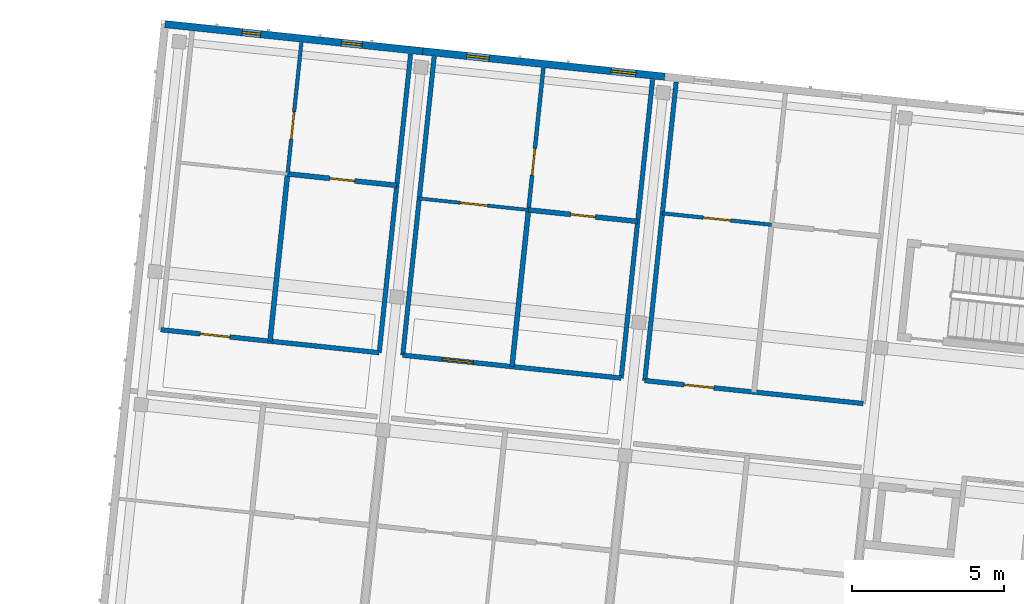
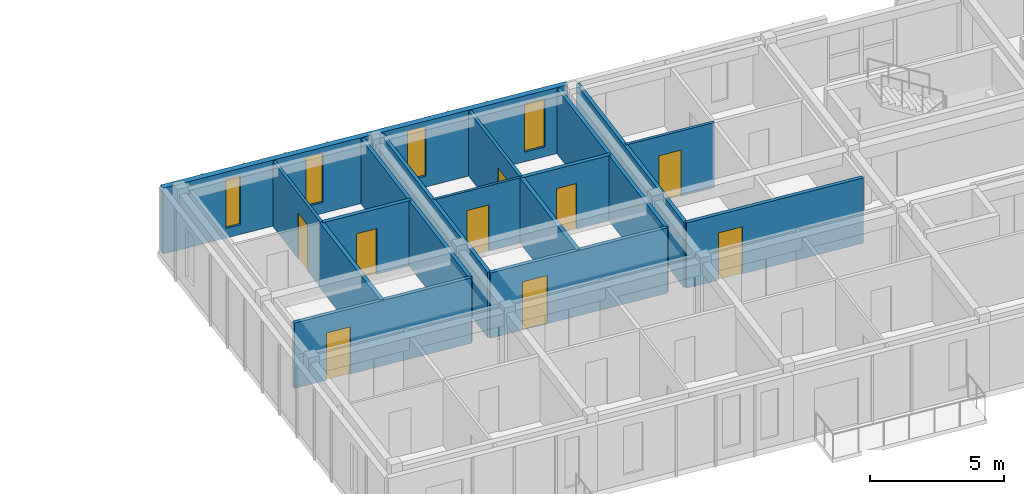
# One storey, part 28 of 56: 17 walls, 9 doors, 4 windows, 13 openings.
"""IFC4 building model written with IfcOpenShell, lengths in metres."""

import ifcopenshell
import ifcopenshell.guid

model = None  # the IFC model being written
_history = None  # IfcOwnerHistory: only IFC2X3 demands one
_inside = {}  # id of a spatial element -> (the spatial element, [elements in it])
_under = {}  # id of a project, library or spatial element -> (it, [spatial elements below it])
_declared = {}  # id of a project -> (the project, [libraries it declares])
_typed = {}  # id of a type object -> (the type object, [elements of that type])
_made_of = {}  # id of a material, layer set ... -> (it, [elements and type objects made of it])


def new_model(schema):
    """Start an empty IFC model of exactly this schema.

    Asked for "IFC4X3", IfcOpenShell would pick the latest addendum, in which some entities
    have other attributes; the version numbers below select the first issue.
    IFC2X3 requires an IfcOwnerHistory on every rooted entity: one is made here for all.
    """
    global model, _history
    if schema == "IFC4X3":
        model = ifcopenshell.file(schema_version=(4, 3, 0, 0))
    else:
        model = ifcopenshell.file(schema=schema)
    _inside.clear()
    _under.clear()
    _declared.clear()
    _typed.clear()
    _made_of.clear()
    _history = None
    if model.schema == "IFC2X3":
        org = make("IfcOrganization", Name="unknown")
        user = make(
            "IfcPersonAndOrganization",
            ThePerson=make("IfcPerson", FamilyName="unknown"),
            TheOrganization=org,
        )
        app = make(
            "IfcApplication",
            ApplicationDeveloper=org,
            Version="unknown",
            ApplicationFullName="unknown",
            ApplicationIdentifier="unknown",
        )
        _history = make(
            "IfcOwnerHistory",
            OwningUser=user,
            OwningApplication=app,
            ChangeAction="ADDED",
            CreationDate=0,
        )
    return model


def make(cls, **values):
    """One entity of the class cls with the attributes given. An attribute that is None is left unset."""
    return model.create_entity(
        cls, **{name: value for name, value in values.items() if value is not None}
    )


def rooted(cls, **values):
    """An entity with a GlobalId (a new one), such as an element, a storey or a relation."""
    return make(cls, GlobalId=ifcopenshell.guid.new(), OwnerHistory=_history, **values)


def si_unit(unit_type, name, prefix=None):
    """IfcSIUnit, for example si_unit("LENGTHUNIT", "METRE", prefix="MILLI")."""
    return make("IfcSIUnit", UnitType=unit_type, Prefix=prefix, Name=name)


def assignment(units):
    """IfcUnitAssignment: the units of a project."""
    return None if units is None else make("IfcUnitAssignment", Units=units)


def point(xyz):
    """IfcCartesianPoint."""
    return None if xyz is None else make("IfcCartesianPoint", Coordinates=xyz)


def direction(xyz):
    """IfcDirection."""
    return None if xyz is None else make("IfcDirection", DirectionRatios=xyz)


def frame(location, z_axis=None, x_axis=None):
    """IfcAxis2Placement3D, a coordinate frame: its origin and axes. An axis left out is left unset."""
    return make(
        "IfcAxis2Placement3D",
        Location=point(location),
        Axis=direction(z_axis),
        RefDirection=direction(x_axis),
    )


def frame_2d(location, x_axis=None):
    """IfcAxis2Placement2D, a coordinate frame in the plane: its origin and x axis."""
    return make(
        "IfcAxis2Placement2D", Location=point(location), RefDirection=direction(x_axis)
    )


def origin():
    """The frame at (0, 0, 0) with its axes left unset."""
    return frame((0.0, 0.0, 0.0))


def place(relative_to, where):
    """IfcLocalPlacement: puts the frame where relative to a parent placement (None: the world)."""
    return make(
        "IfcLocalPlacement", PlacementRelTo=relative_to, RelativePlacement=where
    )


def context(
    kind, dimensions, precision=None, world=None, true_north=None, identifier=None
):
    """IfcGeometricRepresentationContext, for example the 3D "Model" context."""
    return make(
        "IfcGeometricRepresentationContext",
        ContextIdentifier=identifier,
        ContextType=kind,
        CoordinateSpaceDimension=dimensions,
        Precision=precision,
        WorldCoordinateSystem=world,
        TrueNorth=true_north,
    )


def subcontext(parent, identifier, kind, view, scale=None):
    """IfcGeometricRepresentationSubContext, for example "Body" below "Model"."""
    return make(
        "IfcGeometricRepresentationSubContext",
        ContextIdentifier=identifier,
        ContextType=kind,
        ParentContext=parent,
        TargetScale=scale,
        TargetView=view,
    )


def project(units=None, contexts=None):
    """IfcProject with its units and contexts."""
    return rooted(
        "IfcProject",
        Name="project",
        RepresentationContexts=contexts,
        UnitsInContext=assignment(units),
    )


def spatial(cls, under=None, at=None, **own):
    """A site, building, storey or space (cls), placed at a placement, below another one or the project."""
    s = rooted(cls, ObjectPlacement=at, **own)
    if under is not None:
        _under.setdefault(under.id(), (under, []))[1].append(s)
    return s


def profile(cls, at=None, kind="AREA", **sizes):
    """A parametric profile (cls). Its sizes go by their IFC names, for example OverallWidth=200.0."""
    return make(cls, ProfileType=kind, Position=at, **sizes)


def rectangle(**sizes):
    """IfcRectangleProfileDef."""
    return profile("IfcRectangleProfileDef", **sizes)


def extrude(swept, where, along, depth):
    """IfcExtrudedAreaSolid: the profile swept, set in the frame where, extruded along a direction by depth."""
    return make(
        "IfcExtrudedAreaSolid",
        SweptArea=swept,
        Position=where,
        ExtrudedDirection=direction(along),
        Depth=depth,
    )


def shape(context_of_items, identifier, shape_type, items):
    """IfcShapeRepresentation: the items that make up one representation, for example the "Body"."""
    return make(
        "IfcShapeRepresentation",
        ContextOfItems=context_of_items,
        RepresentationIdentifier=identifier,
        RepresentationType=shape_type,
        Items=items,
    )


def material(Name=None, Category=None):
    """IfcMaterial."""
    return make("IfcMaterial", Name=Name, Category=Category)


def layer(
    of_material, thickness, ventilated=None, Name=None, Category=None, Priority=None
):
    """IfcMaterialLayer: one layer of a wall or slab, of a material (None: an air gap)."""
    return make(
        "IfcMaterialLayer",
        Material=of_material,
        LayerThickness=thickness,
        IsVentilated=ventilated,
        Name=Name,
        Category=Category,
        Priority=Priority,
    )


def layer_set(layers, Name=None):
    """IfcMaterialLayerSet."""
    return make("IfcMaterialLayerSet", MaterialLayers=layers, LayerSetName=Name)


def made_of(thing, what):
    """Note that an element or type object is made of a material, layer set ...; save() writes the relation."""
    if what is not None:
        _made_of.setdefault(what.id(), (what, []))[1].append(thing)
    return thing


def type_object(cls, material=None, **own):
    """A type object (cls), such as IfcWallType, which elements share."""
    return made_of(rooted(cls, **own), material)


def element(
    cls,
    number,
    at=None,
    inside=None,
    cuts=None,
    type_object=None,
    material=None,
    context=None,
    identifier="Body",
    shape_type=None,
    held_by="IfcProductDefinitionShape",
    body=None,
    shapes=None,
    **own,
):
    """One element of the class cls, such as IfcWall. Its Tag is "e" and its number.

    at: its placement. inside: the storey or other place that contains it. cuts: it is an
    opening in that element (IfcRelVoidsElement). A single representation is given by context,
    identifier, shape_type and body (its items); several are given by shapes. held_by: the class
    of the entity that holds the representations. save() writes the other relations.
    """
    e = rooted(cls, Tag="e%d" % number, ObjectPlacement=at, **own)
    if body is not None:
        shapes = [shape(context, identifier, shape_type, body)]
    if shapes is not None:
        e.Representation = make(held_by, Representations=shapes)
    if inside is not None:
        _inside.setdefault(inside.id(), (inside, []))[1].append(e)
    if cuts is not None:
        rooted(
            "IfcRelVoidsElement", RelatingBuildingElement=cuts, RelatedOpeningElement=e
        )
    if type_object is not None:
        _typed.setdefault(type_object.id(), (type_object, []))[1].append(e)
    return made_of(e, material)


def fill(opening, filler):
    """IfcRelFillsElement: the door or window that sits in an opening."""
    return rooted(
        "IfcRelFillsElement",
        RelatingOpeningElement=opening,
        RelatedBuildingElement=filler,
    )


def aggregate(whole, parts):
    """IfcRelAggregates: a whole, such as a stair, and the parts it consists of."""
    return rooted("IfcRelAggregates", RelatingObject=whole, RelatedObjects=parts)


def save(model, path):
    """Write the relations noted so far, then the file.

    IfcRelAggregates (storeys below a building ...), IfcRelContainedInSpatialStructure (elements
    in a storey), IfcRelDefinesByType, IfcRelAssociatesMaterial and IfcRelDeclares: one each for
    every whole, place, type object, material and project.
    """
    for whole, parts in _under.values():
        aggregate(whole, parts)
    for where, things in _inside.values():
        rooted(
            "IfcRelContainedInSpatialStructure",
            RelatedElements=things,
            RelatingStructure=where,
        )
    for kind, things in _typed.values():
        rooted("IfcRelDefinesByType", RelatedObjects=things, RelatingType=kind)
    for what, things in _made_of.values():
        rooted("IfcRelAssociatesMaterial", RelatedObjects=things, RelatingMaterial=what)
    for by, libraries in _declared.values():
        rooted("IfcRelDeclares", RelatingContext=by, RelatedDefinitions=libraries)
    model.write(path)


model = new_model("IFC4")

# Units and contexts
model_context = context("Model", 3, precision=1e-05, world=origin(), true_north=direction((0.0, 1.0)))
body_context = subcontext(model_context, "Body", "Model", "MODEL_VIEW")
ifc_project = project(units=[si_unit("LENGTHUNIT", "METRE"), si_unit("AREAUNIT", "SQUARE_METRE"), si_unit("VOLUMEUNIT", "CUBIC_METRE"), si_unit("PLANEANGLEUNIT", "RADIAN"), si_unit("MASSUNIT", "GRAM", prefix="KILO")], contexts=[model_context])

# Site, building, storey
site_placement = place(None, origin())
site = spatial("IfcSite", under=ifc_project, at=site_placement, CompositionType="ELEMENT")
building_placement = place(site_placement, origin())
building = spatial("IfcBuilding", under=site, at=building_placement, Name="Kestramere Prow Commons", CompositionType="ELEMENT")
storey_placement = place(building_placement, frame((0.0, 0.0, 27.89990234375)))
storey = spatial("IfcBuildingStorey", under=building, at=storey_placement, Name="L08", CompositionType="ELEMENT", Elevation=27.89990234375)

# Wall, openings, windows
ifc_material_1 = material(Name="Fluoropolymer Standing-Seam Zinc-Aluminium Cladding", Category="aluminium")
ifc_layer_1 = layer(ifc_material_1, 0.239990234375)
ifc_layer_set_1 = layer_set([ifc_layer_1], Name="Fluoropolymer Standing-Seam Zinc-Aluminium Cladding")
wall_type_1 = type_object("IfcWallType", Name="EW-SEAM-240", PredefinedType="SOLIDWALL", material=ifc_layer_set_1)
wall_1_placement = place(storey_placement, frame((111.58154296875, 114.86962890625, 0.0), z_axis=(0.0, 0.0, 1.0), x_axis=(0.994521760736, -0.104529744196, 0.0)))
wall_1 = element("IfcWall", 1, at=wall_1_placement, inside=storey, type_object=wall_type_1, Name="Block B L08 North Standing-Seam Wall 1", PredefinedType="SOLIDWALL", context=body_context, shape_type="SweptSolid", body=[
    extrude(rectangle(XDim=8.52490234375, YDim=0.239990234375, at=frame_2d((4.262451171875, 0.0))), origin(), (0.0, 0.0, 1.0), 3.0),
])
opening_1_placement = place(wall_1_placement, frame((2.560302734375, 0.0, 0.43994140625)))
opening_1 = element("IfcOpeningElement", 2, at=opening_1_placement, cuts=wall_1, Name="Opening WN-02", PredefinedType="OPENING", context=body_context, shape_type="SweptSolid", body=[
    extrude(rectangle(XDim=0.60009765625, YDim=2.219970703125, at=frame_2d((0.300048828125, 1.10986328125))), frame((0.0, 0.135009765625, 0.0), z_axis=(0.0, -1.0, 0.0), x_axis=(1.0, 0.0, 0.0)), (0.0, 0.0, 1.0), 0.27001953125),
])
opening_2_placement = place(wall_1_placement, frame((5.8369140625, 0.0, 0.5)))
opening_2 = element("IfcOpeningElement", 3, at=opening_2_placement, cuts=wall_1, Name="Opening WN-06", PredefinedType="OPENING", context=body_context, shape_type="SweptSolid", body=[
    extrude(rectangle(XDim=0.679931640625, YDim=2.239990234375, at=frame_2d((0.33984375, 1.1201171875))), frame((0.0, 0.135009765625, 0.0), z_axis=(0.0, -1.0, 0.0), x_axis=(1.0, 0.0, 0.0)), (0.0, 0.0, 1.0), 0.27001953125),
])
ifc_material_2 = material(Name="Low-E Laminated Double Glazing", Category="glass")
window_type_1 = type_object("IfcWindowType", Name="WN-NAR-600A", PartitioningType="SINGLE_PANEL", PredefinedType="WINDOW", material=ifc_material_2)
window_1_placement = place(opening_1_placement, origin())
window_1 = element("IfcWindow", 4, at=window_1_placement, inside=storey, type_object=window_type_1, Name="WN-B-L08-N-0-0", OverallHeight=2.219970703125, OverallWidth=0.60009765625, PartitioningType="SINGLE_PANEL", PredefinedType="WINDOW", context=body_context, shape_type="SweptSolid", body=[
    extrude(rectangle(XDim=0.60009765625, YDim=2.219970703125, at=frame_2d((0.300048828125, 1.10986328125))), frame((0.0, 0.030029296875, 0.0), z_axis=(0.0, -1.0, 0.0), x_axis=(1.0, 0.0, 0.0)), (0.0, 0.0, 1.0), 0.06005859375),
])
fill(opening_1, window_1)
window_type_2 = type_object("IfcWindowType", Name="WN-NAR-680A", PartitioningType="SINGLE_PANEL", PredefinedType="WINDOW", material=ifc_material_2)
window_2_placement = place(opening_2_placement, origin())
window_2 = element("IfcWindow", 5, at=window_2_placement, inside=storey, type_object=window_type_2, Name="WN-B-L08-N-0-1", OverallHeight=2.239990234375, OverallWidth=0.679931640625, PartitioningType="SINGLE_PANEL", PredefinedType="WINDOW", context=body_context, shape_type="SweptSolid", body=[
    extrude(rectangle(XDim=0.679931640625, YDim=2.239990234375, at=frame_2d((0.33984375, 1.1201171875))), frame((0.0, 0.030029296875, 0.0), z_axis=(0.0, -1.0, 0.0), x_axis=(1.0, 0.0, 0.0)), (0.0, 0.0, 1.0), 0.06005859375),
])
fill(opening_2, window_2)

wall_2_placement = place(storey_placement, frame((120.059814453125, 113.978515625, 0.0), z_axis=(0.0, 0.0, 1.0), x_axis=(0.994522329422, -0.104524333444, 0.0)))
wall_2 = element("IfcWall", 6, at=wall_2_placement, inside=storey, type_object=wall_type_1, Name="Block B L08 North Standing-Seam Wall 2", PredefinedType="SOLIDWALL", context=body_context, shape_type="SweptSolid", body=[
    extrude(rectangle(XDim=7.999755859375, YDim=0.239990234375, at=frame_2d((4.0, 0.0))), origin(), (0.0, 0.0, 1.0), 3.0),
])
opening_3_placement = place(wall_2_placement, frame((1.449951171875, 0.0, 0.5)))
opening_3 = element("IfcOpeningElement", 7, at=opening_3_placement, cuts=wall_2, Name="Opening WN-09", PredefinedType="OPENING", context=body_context, shape_type="SweptSolid", body=[
    extrude(rectangle(XDim=0.739990234375, YDim=2.260009765625, at=frame_2d((0.3701171875, 1.1298828125))), frame((0.0, 0.135009765625, 0.0), z_axis=(0.0, -1.0, 0.0), x_axis=(1.0, 0.0, 0.0)), (0.0, 0.0, 1.0), 0.27001953125),
])
opening_4_placement = place(wall_2_placement, frame((6.2236328125, 0.0, 0.43994140625)))
opening_4 = element("IfcOpeningElement", 8, at=opening_4_placement, cuts=wall_2, Name="Opening WN-13", PredefinedType="OPENING", context=body_context, shape_type="SweptSolid", body=[
    extrude(rectangle(XDim=0.820068359375, YDim=2.179931640625, at=frame_2d((0.41015625, 1.08984375))), frame((0.0, 0.135009765625, 0.0), z_axis=(0.0, -1.0, 0.0), x_axis=(1.0, 0.0, 0.0)), (0.0, 0.0, 1.0), 0.27001953125),
])
window_type_3 = type_object("IfcWindowType", Name="WN-NAR-740A", PartitioningType="SINGLE_PANEL", PredefinedType="WINDOW", material=ifc_material_2)
window_3_placement = place(opening_3_placement, origin())
window_3 = element("IfcWindow", 9, at=window_3_placement, inside=storey, type_object=window_type_3, Name="WN-B-L08-N-1-0", OverallHeight=2.260009765625, OverallWidth=0.739990234375, PartitioningType="SINGLE_PANEL", PredefinedType="WINDOW", context=body_context, shape_type="SweptSolid", body=[
    extrude(rectangle(XDim=0.739990234375, YDim=2.260009765625, at=frame_2d((0.3701171875, 1.1298828125))), frame((0.0, 0.030029296875, 0.0), z_axis=(0.0, -1.0, 0.0), x_axis=(1.0, 0.0, 0.0)), (0.0, 0.0, 1.0), 0.06005859375),
])
fill(opening_3, window_3)
window_type_4 = type_object("IfcWindowType", Name="WN-NAR-820A", PartitioningType="DOUBLE_PANEL_VERTICAL", PredefinedType="WINDOW", material=ifc_material_2)
window_4_placement = place(opening_4_placement, origin())
window_4 = element("IfcWindow", 10, at=window_4_placement, inside=storey, type_object=window_type_4, Name="WN-B-L08-N-1-1", OverallHeight=2.179931640625, OverallWidth=0.820068359375, PartitioningType="SINGLE_PANEL", PredefinedType="WINDOW", context=body_context, shape_type="SweptSolid", body=[
    extrude(rectangle(XDim=0.820068359375, YDim=2.179931640625, at=frame_2d((0.41015625, 1.08984375))), frame((0.0, 0.030029296875, 0.0), z_axis=(0.0, -1.0, 0.0), x_axis=(1.0, 0.0, 0.0)), (0.0, 0.0, 1.0), 0.06005859375),
])
fill(opening_4, window_4)

# Wall, opening, door
ifc_material_3 = material(Name="Fire-Rated Calcium Silicate Wall")
ifc_layer_2 = layer(ifc_material_3, 0.155029296875)
ifc_layer_set_2 = layer_set([ifc_layer_2], Name="Fire-Rated Calcium Silicate Wall")
wall_type_2 = type_object("IfcWallType", Name="W-FIRE-150", PredefinedType="PARTITIONING", material=ifc_layer_set_2)
wall_3_placement = place(storey_placement, frame((111.44580078125, 104.82373046875, 0.0), z_axis=(0.0, 0.0, 1.0), x_axis=(0.994522671024, -0.104521083137, 0.0)))
wall_3 = element("IfcWall", 11, at=wall_3_placement, inside=storey, type_object=wall_type_2, Name="Interior Partition PW-B-L08-CN-0", PredefinedType="PARTITIONING", context=body_context, shape_type="SweptSolid", body=[
    extrude(rectangle(XDim=7.219970703125, YDim=0.155029296875, at=frame_2d((3.60986328125, 0.0))), origin(), (0.0, 0.0, 1.0), 2.97021484375),
])
opening_5_placement = place(wall_3_placement, frame((1.304931640625, 0.0, 0.0)))
opening_5 = element("IfcOpeningElement", 12, at=opening_5_placement, cuts=wall_3, Name="Opening ID-04", PredefinedType="OPENING", context=body_context, shape_type="SweptSolid", body=[
    extrude(rectangle(XDim=0.97998046875, YDim=2.14990234375, at=frame_2d((0.489990234375, 1.074951171875))), frame((0.0, 0.092529296875, 0.0), z_axis=(0.0, -1.0, 0.0), x_axis=(1.0, 0.0, 0.0)), (0.0, 0.0, 1.0), 0.18505859375),
])
ifc_material_4 = material(Name="Hardwood Fire-Rated Flat Entrance Door", Category="wood")
door_type_1 = type_object("IfcDoorType", Name="FD-ENT-01", OperationType="NOTDEFINED", PredefinedType="DOOR", material=ifc_material_4)
door_1_placement = place(opening_5_placement, origin())
door_1 = element("IfcDoor", 13, at=door_1_placement, inside=storey, type_object=door_type_1, Name="Interior Door DR-B-L08-ENT-N0", OperationType="SINGLE_SWING_RIGHT", OverallHeight=2.14990234375, OverallWidth=0.97998046875, PredefinedType="DOOR", context=body_context, shape_type="SweptSolid", body=[
    extrude(rectangle(XDim=0.97998046875, YDim=2.14990234375, at=frame_2d((0.489990234375, 1.074951171875))), frame((0.0, 0.02490234375, 0.0), z_axis=(0.0, -1.0, 0.0), x_axis=(1.0, 0.0, 0.0)), (0.0, 0.0, 1.0), 0.050048828125),
])
fill(opening_5, door_1)

wall_4_placement = place(storey_placement, frame((119.40185546875, 103.987548828125, 0.0), z_axis=(0.0, 0.0, 1.0), x_axis=(0.994522671024, -0.104521083137, 0.0)))
wall_4 = element("IfcWall", 14, at=wall_4_placement, inside=storey, type_object=wall_type_2, Name="Interior Partition PW-B-L08-CN-1", PredefinedType="PARTITIONING", context=body_context, shape_type="SweptSolid", body=[
    extrude(rectangle(XDim=7.219970703125, YDim=0.155029296875, at=frame_2d((3.60986328125, 0.0))), origin(), (0.0, 0.0, 1.0), 2.97021484375),
])
opening_6_placement = place(wall_4_placement, frame((1.304931640625, 0.0, 0.0)))
opening_6 = element("IfcOpeningElement", 15, at=opening_6_placement, cuts=wall_4, Name="Opening ID-05", PredefinedType="OPENING", context=body_context, shape_type="SweptSolid", body=[
    extrude(rectangle(XDim=1.02001953125, YDim=2.199951171875, at=frame_2d((0.510009765625, 1.10009765625))), frame((0.0, 0.092529296875, 0.0), z_axis=(0.0, -1.0, 0.0), x_axis=(1.0, 0.0, 0.0)), (0.0, 0.0, 1.0), 0.18505859375),
])
door_type_2 = type_object("IfcDoorType", Name="FD-ENT-02", OperationType="NOTDEFINED", PredefinedType="DOOR", material=ifc_material_4)
door_2_placement = place(opening_6_placement, origin())
door_2 = element("IfcDoor", 16, at=door_2_placement, inside=storey, type_object=door_type_2, Name="Interior Door DR-B-L08-ENT-N1", OperationType="SINGLE_SWING_LEFT", OverallHeight=2.199951171875, OverallWidth=1.02001953125, PredefinedType="DOOR", context=body_context, shape_type="SweptSolid", body=[
    extrude(rectangle(XDim=1.02001953125, YDim=2.199951171875, at=frame_2d((0.510009765625, 1.10009765625))), frame((0.0, 0.02490234375, 0.0), z_axis=(0.0, -1.0, 0.0), x_axis=(1.0, 0.0, 0.0)), (0.0, 0.0, 1.0), 0.050048828125),
])
fill(opening_6, door_2)

wall_5_placement = place(storey_placement, frame((127.358154296875, 103.1513671875, 0.0), z_axis=(0.0, 0.0, 1.0), x_axis=(0.994522671024, -0.104521083137, 0.0)))
wall_5 = element("IfcWall", 17, at=wall_5_placement, inside=storey, type_object=wall_type_2, Name="Interior Partition PW-B-L08-CN-2", PredefinedType="PARTITIONING", context=body_context, shape_type="SweptSolid", body=[
    extrude(rectangle(XDim=7.219970703125, YDim=0.155029296875, at=frame_2d((3.60986328125, 0.0))), origin(), (0.0, 0.0, 1.0), 2.97021484375),
])
opening_7_placement = place(wall_5_placement, frame((1.304931640625, 0.0, 0.0)))
opening_7 = element("IfcOpeningElement", 18, at=opening_7_placement, cuts=wall_5, Name="Opening ID-04", PredefinedType="OPENING", context=body_context, shape_type="SweptSolid", body=[
    extrude(rectangle(XDim=0.97998046875, YDim=2.14990234375, at=frame_2d((0.489990234375, 1.074951171875))), frame((0.0, 0.092529296875, 0.0), z_axis=(0.0, -1.0, 0.0), x_axis=(1.0, 0.0, 0.0)), (0.0, 0.0, 1.0), 0.18505859375),
])
door_3_placement = place(opening_7_placement, origin())
door_3 = element("IfcDoor", 19, at=door_3_placement, inside=storey, type_object=door_type_1, Name="Interior Door DR-B-L08-ENT-N2", OperationType="SINGLE_SWING_RIGHT", OverallHeight=2.14990234375, OverallWidth=0.97998046875, PredefinedType="DOOR", context=body_context, shape_type="SweptSolid", body=[
    extrude(rectangle(XDim=0.97998046875, YDim=2.14990234375, at=frame_2d((0.489990234375, 1.074951171875))), frame((0.0, 0.02490234375, 0.0), z_axis=(0.0, -1.0, 0.0), x_axis=(1.0, 0.0, 0.0)), (0.0, 0.0, 1.0), 0.050048828125),
])
fill(opening_7, door_3)

ifc_material_5 = material(Name="Gypsum Acoustic Drywall")
ifc_layer_3 = layer(ifc_material_5, 0.110107421875)
ifc_layer_set_3 = layer_set([ifc_layer_3], Name="Gypsum Acoustic Drywall")
wall_type_3 = type_object("IfcWallType", Name="W-PART-110", PredefinedType="PARTITIONING", material=ifc_layer_set_3)
wall_6_placement = place(storey_placement, frame((119.943359375, 109.13916015625, 0.0), z_axis=(0.0, 0.0, 1.0), x_axis=(0.994525816262, -0.104491151726, 0.0)))
wall_6 = element("IfcWall", 20, at=wall_6_placement, inside=storey, type_object=wall_type_3, Name="Interior Partition PW-B-L08-MIDN1-1", PredefinedType="PARTITIONING", context=body_context, shape_type="SweptSolid", body=[
    extrude(rectangle(XDim=3.60986328125, YDim=0.110107421875, at=frame_2d((1.804931640625, 0.0))), origin(), (0.0, 0.0, 1.0), 2.97021484375),
])
opening_8_placement = place(wall_6_placement, frame((1.35498046875, 0.0, 0.0)))
opening_8 = element("IfcOpeningElement", 21, at=opening_8_placement, cuts=wall_6, Name="Opening ID-08", PredefinedType="OPENING", context=body_context, shape_type="SweptSolid", body=[
    extrude(rectangle(XDim=0.89990234375, YDim=2.10009765625, at=frame_2d((0.449951171875, 1.050048828125))), frame((0.0, 0.070068359375, 0.0), z_axis=(0.0, -1.0, 0.0), x_axis=(1.0, 0.0, 0.0)), (0.0, 0.0, 1.0), 0.14013671875),
])
ifc_material_6 = material(Name="Engineered Timber Flush Door", Category="wood")
door_type_3 = type_object("IfcDoorType", Name="D-RM-01", OperationType="NOTDEFINED", PredefinedType="DOOR", material=ifc_material_6)
door_4_placement = place(opening_8_placement, origin())
door_4 = element("IfcDoor", 22, at=door_4_placement, inside=storey, type_object=door_type_3, Name="Interior Door DR-B-L08-KL-N1", OperationType="SINGLE_SWING_LEFT", OverallHeight=2.10009765625, OverallWidth=0.89990234375, PredefinedType="DOOR", context=body_context, shape_type="SweptSolid", body=[
    extrude(rectangle(XDim=0.89990234375, YDim=2.10009765625, at=frame_2d((0.449951171875, 1.050048828125))), frame((0.0, 0.02490234375, 0.0), z_axis=(0.0, -1.0, 0.0), x_axis=(1.0, 0.0, 0.0)), (0.0, 0.0, 1.0), 0.050048828125),
])
fill(opening_8, door_4)

ifc_material_7 = material(Name="Lightweight Blockwork and Plaster", Category="masonry")
ifc_layer_4 = layer(ifc_material_7, 0.1201171875)
ifc_layer_set_4 = layer_set([ifc_layer_4], Name="Lightweight Blockwork and Plaster")
wall_type_4 = type_object("IfcWallType", Name="W-PART-120", PredefinedType="PARTITIONING", material=ifc_layer_set_4)
wall_7_placement = place(storey_placement, frame((115.614013671875, 109.946044921875, 0.0), z_axis=(0.0, 0.0, 1.0), x_axis=(0.104514950243, 0.994523315552, 0.0)))
wall_7 = element("IfcWall", 23, at=wall_7_placement, inside=storey, type_object=wall_type_4, Name="Interior Partition PW-B-L08-LB-N0", PredefinedType="PARTITIONING", context=body_context, shape_type="SweptSolid", body=[
    extrude(rectangle(XDim=4.340087890625, YDim=0.1201171875, at=frame_2d((2.169921875, 0.0))), origin(), (0.0, 0.0, 1.0), 2.97021484375),
])
opening_9_placement = place(wall_7_placement, frame((1.14990234375, 0.0, 0.0)))
opening_9 = element("IfcOpeningElement", 24, at=opening_9_placement, cuts=wall_7, Name="Opening ID-08", PredefinedType="OPENING", context=body_context, shape_type="SweptSolid", body=[
    extrude(rectangle(XDim=0.89990234375, YDim=2.10009765625, at=frame_2d((0.449951171875, 1.050048828125))), frame((0.0, 0.074951171875, 0.0), z_axis=(0.0, -1.0, 0.0), x_axis=(1.0, 0.0, 0.0)), (0.0, 0.0, 1.0), 0.150146484375),
])
door_5_placement = place(opening_9_placement, origin())
door_5 = element("IfcDoor", 25, at=door_5_placement, inside=storey, type_object=door_type_3, Name="Interior Door DR-B-L08-BED-N0", OperationType="SINGLE_SWING_LEFT", OverallHeight=2.10009765625, OverallWidth=0.89990234375, PredefinedType="DOOR", context=body_context, shape_type="SweptSolid", body=[
    extrude(rectangle(XDim=0.89990234375, YDim=2.10009765625, at=frame_2d((0.449951171875, 1.050048828125))), frame((0.0, 0.02490234375, 0.0), z_axis=(0.0, -1.0, 0.0), x_axis=(1.0, 0.0, 0.0)), (0.0, 0.0, 1.0), 0.050048828125),
])
fill(opening_9, door_5)

wall_8_placement = place(storey_placement, frame((127.93603515625, 108.651123046875, 0.0), z_axis=(0.0, 0.0, 1.0), x_axis=(0.994519525119, -0.104551012229, 0.0)))
wall_8 = element("IfcWall", 26, at=wall_8_placement, inside=storey, type_object=wall_type_4, Name="Interior Partition PW-B-L08-MIDN1-2", PredefinedType="PARTITIONING", context=body_context, shape_type="SweptSolid", body=[
    extrude(rectangle(XDim=3.610107421875, YDim=0.1201171875, at=frame_2d((1.80517578125, 0.0))), origin(), (0.0, 0.0, 1.0), 2.97021484375),
])
opening_10_placement = place(wall_8_placement, frame((1.35498046875, 0.0, 0.0)))
opening_10 = element("IfcOpeningElement", 27, at=opening_10_placement, cuts=wall_8, Name="Opening ID-08", PredefinedType="OPENING", context=body_context, shape_type="SweptSolid", body=[
    extrude(rectangle(XDim=0.89990234375, YDim=2.10009765625, at=frame_2d((0.449951171875, 1.050048828125))), frame((0.0, 0.074951171875, 0.0), z_axis=(0.0, -1.0, 0.0), x_axis=(1.0, 0.0, 0.0)), (0.0, 0.0, 1.0), 0.150146484375),
])
door_6_placement = place(opening_10_placement, origin())
door_6 = element("IfcDoor", 28, at=door_6_placement, inside=storey, type_object=door_type_3, Name="Interior Door DR-B-L08-KL-N2", OperationType="SINGLE_SWING_LEFT", OverallHeight=2.10009765625, OverallWidth=0.89990234375, PredefinedType="DOOR", context=body_context, shape_type="SweptSolid", body=[
    extrude(rectangle(XDim=0.89990234375, YDim=2.10009765625, at=frame_2d((0.449951171875, 1.050048828125))), frame((0.0, 0.02490234375, 0.0), z_axis=(0.0, -1.0, 0.0), x_axis=(1.0, 0.0, 0.0)), (0.0, 0.0, 1.0), 0.050048828125),
])
fill(opening_10, door_6)

ifc_layer_5 = layer(ifc_material_7, 0.1298828125)
ifc_layer_set_5 = layer_set([ifc_layer_5], Name="Lightweight Blockwork and Plaster")
wall_type_5 = type_object("IfcWallType", Name="W-PART-130", PredefinedType="PARTITIONING", material=ifc_layer_set_5)
wall_9_placement = place(storey_placement, frame((123.533447265625, 108.761962890625, 0.0), z_axis=(0.0, 0.0, 1.0), x_axis=(0.104527618124, 0.994521984196, 0.0)))
wall_9 = element("IfcWall", 29, at=wall_9_placement, inside=storey, type_object=wall_type_5, Name="Interior Partition PW-B-L08-LB-N1", PredefinedType="PARTITIONING", context=body_context, shape_type="SweptSolid", body=[
    extrude(rectangle(XDim=4.68994140625, YDim=0.1298828125, at=frame_2d((2.344970703125, 0.0))), origin(), (0.0, 0.0, 1.0), 2.97021484375),
])
opening_11_placement = place(wall_9_placement, frame((1.14990234375, 0.0, 0.0)))
opening_11 = element("IfcOpeningElement", 30, at=opening_11_placement, cuts=wall_9, Name="Opening ID-10", PredefinedType="OPENING", context=body_context, shape_type="SweptSolid", body=[
    extrude(rectangle(XDim=0.8798828125, YDim=2.10009765625, at=frame_2d((0.43994140625, 1.050048828125))), frame((0.0, 0.079833984375, 0.0), z_axis=(0.0, -1.0, 0.0), x_axis=(1.0, 0.0, 0.0)), (0.0, 0.0, 1.0), 0.159912109375),
])
ifc_material_8 = material(Name="Engineered Timber Bedroom Door", Category="wood")
door_type_4 = type_object("IfcDoorType", Name="D-RM-03", OperationType="NOTDEFINED", PredefinedType="DOOR", material=ifc_material_8)
door_7_placement = place(opening_11_placement, origin())
door_7 = element("IfcDoor", 31, at=door_7_placement, inside=storey, type_object=door_type_4, Name="Interior Door DR-B-L08-BED-N1", OperationType="SINGLE_SWING_LEFT", OverallHeight=2.10009765625, OverallWidth=0.8798828125, PredefinedType="DOOR", context=body_context, shape_type="SweptSolid", body=[
    extrude(rectangle(XDim=0.8798828125, YDim=2.10009765625, at=frame_2d((0.43994140625, 1.050048828125))), frame((0.0, 0.02490234375, 0.0), z_axis=(0.0, -1.0, 0.0), x_axis=(1.0, 0.0, 0.0)), (0.0, 0.0, 1.0), 0.050048828125),
])
fill(opening_11, door_7)

# Walls
ifc_material_9 = material(Name="Masonry Compartment Wall", Category="masonry")
ifc_layer_6 = layer(ifc_material_9, 0.14990234375)
ifc_layer_set_6 = layer_set([ifc_layer_6], Name="Masonry Compartment Wall")
wall_type_6 = type_object("IfcWallType", Name="W-PART-150", PredefinedType="PARTITIONING", material=ifc_layer_set_6)
for number, where, z_axis, x_axis, name in (
    (32, (118.626220703125, 104.069091796875, 0.0), (0.0, 0.0, 1.0), (0.104508379977, 0.994524006002, 0.0), "Interior Partition PW-B-L08-NWR-0"),
    (33, (119.40185546875, 103.987548828125, 0.0), (0.0, 0.0, 1.0), (0.10453284543, 0.994521434775, 0.0), "Interior Partition PW-B-L08-NWL-1"),
    (34, (126.582275390625, 103.23291015625, 0.0), (0.0, 0.0, 1.0), (0.10453284543, 0.994521434775, 0.0), "Interior Partition PW-B-L08-NWR-1"),
    (35, (127.358154296875, 103.1513671875, 0.0), (0.0, 0.0, 1.0), (0.104508379977, 0.994524006002, 0.0), "Interior Partition PW-B-L08-NWL-2"),
):
    element("IfcWall", number, at=place(storey_placement, frame(where, z_axis=z_axis, x_axis=x_axis)), inside=storey, type_object=wall_type_6, Name=name, PredefinedType="PARTITIONING", context=body_context, shape_type="SweptSolid", body=[
        extrude(rectangle(XDim=9.869873046875, YDim=0.14990234375, at=frame_2d((4.93505859375, 0.0))), origin(), (0.0, 0.0, 1.0), 2.97021484375),
    ])

# Wall, opening, door
ifc_material_10 = material(Name="Waterproof Sanitary Masonry Wall", Category="masonry")
ifc_layer_7 = layer(ifc_material_10, 0.1650390625)
ifc_layer_set_7 = layer_set([ifc_layer_7], Name="Waterproof Sanitary Masonry Wall")
wall_type_7 = type_object("IfcWallType", Name="W-PLUMB-150", PredefinedType="PLUMBINGWALL", material=ifc_layer_set_7)
wall_10_placement = place(storey_placement, frame((115.614013671875, 109.946044921875, 0.0), z_axis=(0.0, 0.0, 1.0), x_axis=(0.994525816262, -0.104491151726, 0.0)))
wall_10 = element("IfcWall", 36, at=wall_10_placement, inside=storey, type_object=wall_type_7, Name="Interior Partition PW-B-L08-MIDN2-0", PredefinedType="PLUMBINGWALL", context=body_context, shape_type="SweptSolid", body=[
    extrude(rectangle(XDim=3.60986328125, YDim=0.1650390625, at=frame_2d((1.804931640625, 0.0))), origin(), (0.0, 0.0, 1.0), 2.97021484375),
])
opening_12_placement = place(wall_10_placement, frame((1.39501953125, 0.0, 0.0)))
opening_12 = element("IfcOpeningElement", 37, at=opening_12_placement, cuts=wall_10, Name="Opening ID-11", PredefinedType="OPENING", context=body_context, shape_type="SweptSolid", body=[
    extrude(rectangle(XDim=0.820068359375, YDim=2.080078125, at=frame_2d((0.41015625, 1.0400390625))), frame((0.0, 0.097412109375, 0.0), z_axis=(0.0, -1.0, 0.0), x_axis=(1.0, 0.0, 0.0)), (0.0, 0.0, 1.0), 0.195068359375),
])
ifc_material_11 = material(Name="Moisture-Resistant Timber Bathroom Door", Category="wood")
door_type_5 = type_object("IfcDoorType", Name="D-BT-01", OperationType="NOTDEFINED", PredefinedType="DOOR", material=ifc_material_11)
door_8_placement = place(opening_12_placement, origin())
door_8 = element("IfcDoor", 38, at=door_8_placement, inside=storey, type_object=door_type_5, Name="Interior Door DR-B-L08-BTH-N0", OperationType="SINGLE_SWING_RIGHT", OverallHeight=2.080078125, OverallWidth=0.820068359375, PredefinedType="DOOR", context=body_context, shape_type="SweptSolid", body=[
    extrude(rectangle(XDim=0.820068359375, YDim=2.080078125, at=frame_2d((0.41015625, 1.0400390625))), frame((0.0, 0.02490234375, 0.0), z_axis=(0.0, -1.0, 0.0), x_axis=(1.0, 0.0, 0.0)), (0.0, 0.0, 1.0), 0.050048828125),
])
fill(opening_12, door_8)

# Wall
wall_11_placement = place(storey_placement, frame((115.035888671875, 104.446533203125, 0.0), z_axis=(0.0, 0.0, 1.0), x_axis=(0.104546890769, 0.994519958387, 0.0)))
element("IfcWall", 39, at=wall_11_placement, inside=storey, type_object=wall_type_7, Name="Interior Partition PW-B-L08-KB-N0", PredefinedType="PLUMBINGWALL", context=body_context, shape_type="SweptSolid", body=[
    extrude(rectangle(XDim=5.52978515625, YDim=0.1650390625, at=frame_2d((2.764892578125, 0.0))), origin(), (0.0, 0.0, 1.0), 2.97021484375),
])

# Wall, opening, door
wall_12_placement = place(storey_placement, frame((123.533447265625, 108.761962890625, 0.0), z_axis=(0.0, 0.0, 1.0), x_axis=(0.994519525119, -0.104551012229, 0.0)))
wall_12 = element("IfcWall", 40, at=wall_12_placement, inside=storey, type_object=wall_type_7, Name="Interior Partition PW-B-L08-MIDN2-1", PredefinedType="PLUMBINGWALL", context=body_context, shape_type="SweptSolid", body=[
    extrude(rectangle(XDim=3.610107421875, YDim=0.1650390625, at=frame_2d((1.80517578125, 0.0))), origin(), (0.0, 0.0, 1.0), 2.97021484375),
])
opening_13_placement = place(wall_12_placement, frame((1.39501953125, 0.0, 0.0)))
opening_13 = element("IfcOpeningElement", 41, at=opening_13_placement, cuts=wall_12, Name="Opening ID-11", PredefinedType="OPENING", context=body_context, shape_type="SweptSolid", body=[
    extrude(rectangle(XDim=0.820068359375, YDim=2.080078125, at=frame_2d((0.41015625, 1.0400390625))), frame((0.0, 0.097412109375, 0.0), z_axis=(0.0, -1.0, 0.0), x_axis=(1.0, 0.0, 0.0)), (0.0, 0.0, 1.0), 0.195068359375),
])
door_9_placement = place(opening_13_placement, origin())
door_9 = element("IfcDoor", 42, at=door_9_placement, inside=storey, type_object=door_type_5, Name="Interior Door DR-B-L08-BTH-N1", OperationType="SINGLE_SWING_RIGHT", OverallHeight=2.080078125, OverallWidth=0.820068359375, PredefinedType="DOOR", context=body_context, shape_type="SweptSolid", body=[
    extrude(rectangle(XDim=0.820068359375, YDim=2.080078125, at=frame_2d((0.41015625, 1.0400390625))), frame((0.0, 0.02490234375, 0.0), z_axis=(0.0, -1.0, 0.0), x_axis=(1.0, 0.0, 0.0)), (0.0, 0.0, 1.0), 0.050048828125),
])
fill(opening_13, door_9)

# Wall
wall_13_placement = place(storey_placement, frame((122.9921875, 103.610107421875, 0.0), z_axis=(0.0, 0.0, 1.0), x_axis=(0.104486063868, 0.994526350811, 0.0)))
element("IfcWall", 43, at=wall_13_placement, inside=storey, type_object=wall_type_7, Name="Interior Partition PW-B-L08-KB-N1", PredefinedType="PLUMBINGWALL", context=body_context, shape_type="SweptSolid", body=[
    extrude(rectangle(XDim=5.18017578125, YDim=0.1650390625, at=frame_2d((2.590087890625, 0.0))), origin(), (0.0, 0.0, 1.0), 2.97021484375),
])

save(model, "model.ifc")
